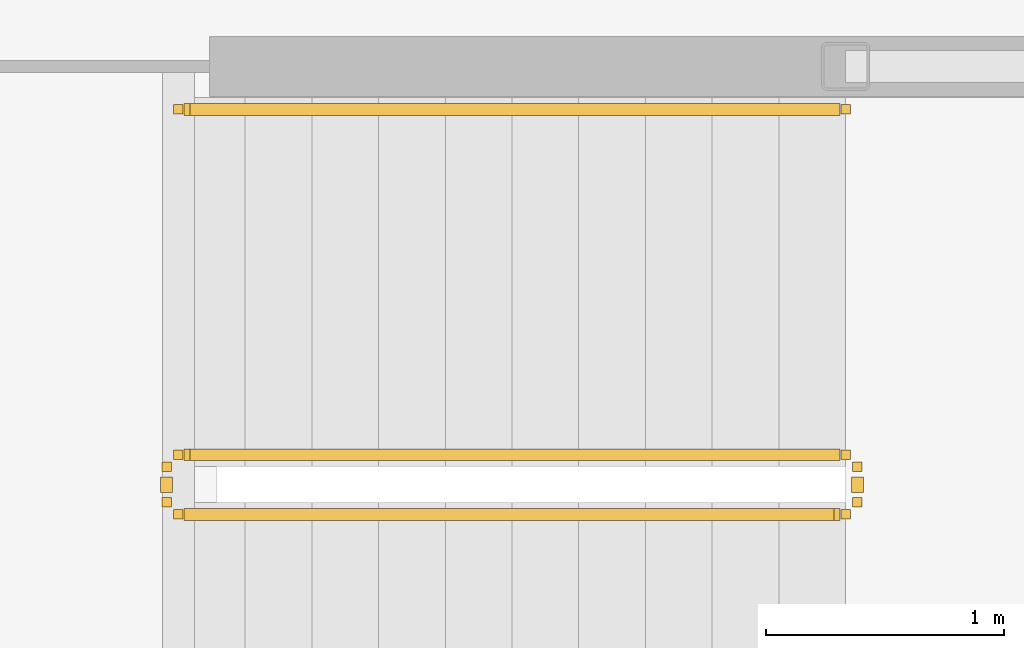
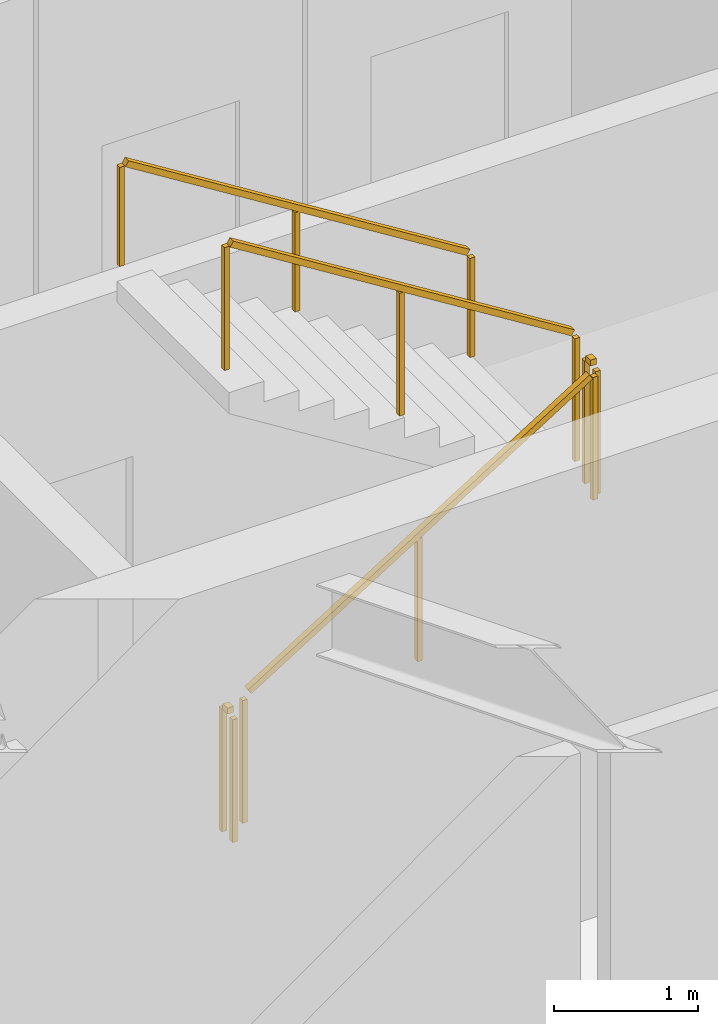
# One storey, part 28 of 31: 5 railings.
"""IFC4 building model written with IfcOpenShell, lengths in metres."""

from ifc_helpers import new_model, si_unit, direction, frame, origin, origin_2d, place, context, subcontext, project, spatial, rectangle, extrude, material, type_object, element, save


model = new_model("IFC4")

# Units and contexts
model_context = context("Model", 3, precision=1e-05, world=origin(), true_north=direction((0.0, 1.0)))
body_context = subcontext(model_context, "Body", "Model", "MODEL_VIEW")
ifc_project = project(units=[si_unit("LENGTHUNIT", "METRE"), si_unit("AREAUNIT", "SQUARE_METRE"), si_unit("VOLUMEUNIT", "CUBIC_METRE"), si_unit("PLANEANGLEUNIT", "RADIAN"), si_unit("MASSUNIT", "GRAM", prefix="KILO")], contexts=[model_context])

# Site, building, storey
site_placement = place(None, origin())
site = spatial("IfcSite", under=ifc_project, at=site_placement, CompositionType="ELEMENT")
building_placement = place(site_placement, origin())
building = spatial("IfcBuilding", under=site, at=building_placement, Name="Kazma Halo Residences", CompositionType="ELEMENT")
storey_placement = place(building_placement, frame((0.0, 0.0, 275.199951171875)))
storey = spatial("IfcBuildingStorey", under=building, at=storey_placement, Name="L69", CompositionType="ELEMENT", Elevation=275.199951171875)

# Railings
ifc_material_1 = material(Name="Painted Steel S355", Category="steel")
railing_type_1 = type_object("IfcRailingType", Name="RLG-STAIR-GRD-1100", PredefinedType="GUARDRAIL", material=ifc_material_1)
railing_1_placement = place(storey_placement, frame((53.199951171875, 35.5, 0.175048828125)))
element("IfcRailing", 1, at=railing_1_placement, inside=storey, type_object=railing_type_1, Name="L69 ST-03 stair guard 1", PredefinedType="GUARDRAIL", context=body_context, shape_type="SweptSolid", body=[
    extrude(rectangle(XDim=0.050048828125, YDim=0.050048828125, at=origin_2d()), frame((0.0361328125, 0.0, 1.09765625), z_axis=(0.848002457836, 0.0, 0.529992293815), x_axis=(0.0, 1.0, 0.0)), (0.0, 0.0, 1.0), 3.216796875),
    extrude(rectangle(XDim=0.0400390625, YDim=0.0400390625, at=origin_2d()), origin(), (0.0, 0.0, 1.0), 1.0380859375),
    extrude(rectangle(XDim=0.0400390625, YDim=0.0400390625, at=origin_2d()), frame((1.39990234375, 0.0, 0.875)), (0.0, 0.0, 1.0), 1.0380859375),
    extrude(rectangle(XDim=0.0400390625, YDim=0.0400390625, at=origin_2d()), frame((2.800048828125, 0.0, 1.75)), (0.0, 0.0, 1.0), 1.0380859375),
])
railing_2_placement = place(storey_placement, frame((56.050048828125, 35.550048828125, 1.925048828125)))
element("IfcRailing", 2, at=railing_2_placement, inside=storey, type_object=railing_type_1, Name="L69 ST-03 stair guard 2", PredefinedType="GUARDRAIL", context=body_context, shape_type="SweptSolid", body=[
    extrude(rectangle(XDim=0.050048828125, YDim=0.050048828125, at=origin_2d()), frame((0.0, 0.04248046875, 1.0751953125), z_axis=(0.0, 1.0, 0.0), x_axis=(-1.0, 0.0, 0.0)), (0.0, 0.0, 1.0), 0.06494140625),
    extrude(rectangle(XDim=0.0400390625, YDim=0.0400390625, at=origin_2d()), origin(), (0.0, 0.0, 1.0), 1.0380859375),
    extrude(rectangle(XDim=0.0400390625, YDim=0.0400390625, at=origin_2d()), frame((0.0, 0.14990234375, 0.0)), (0.0, 0.0, 1.0), 1.0380859375),
])
railing_3_placement = place(storey_placement, frame((56.0, 35.75, 2.10009765625)))
element("IfcRailing", 3, at=railing_3_placement, inside=storey, type_object=railing_type_1, Name="L69 ST-03 stair guard 3", PredefinedType="GUARDRAIL", context=body_context, shape_type="SweptSolid", body=[
    extrude(rectangle(XDim=0.050048828125, YDim=0.050048828125, at=origin_2d()), frame((-0.0361328125, 0.0, 1.09765625), z_axis=(-0.848002457836, 0.0, 0.529992293815), x_axis=(0.0, -1.0, 0.0)), (0.0, 0.0, 1.0), 3.216796875),
    extrude(rectangle(XDim=0.0400390625, YDim=0.0400390625, at=origin_2d()), origin(), (0.0, 0.0, 1.0), 1.0380859375),
    extrude(rectangle(XDim=0.0400390625, YDim=0.0400390625, at=origin_2d()), frame((-1.39990234375, 0.0, 0.875)), (0.0, 0.0, 1.0), 1.0380859375),
    extrude(rectangle(XDim=0.0400390625, YDim=0.0400390625, at=origin_2d()), frame((-2.800048828125, 0.0, 1.75)), (0.0, 0.0, 1.0), 1.0380859375),
])
railing_4_placement = place(storey_placement, frame((53.14990234375, 35.550048828125, 0.0)))
element("IfcRailing", 4, at=railing_4_placement, inside=storey, type_object=railing_type_1, Name="L69 ST-03 stair guard 4", PredefinedType="GUARDRAIL", context=body_context, shape_type="SweptSolid", body=[
    extrude(rectangle(XDim=0.050048828125, YDim=0.050048828125, at=origin_2d()), frame((0.0, 0.04248046875, 1.0751953125), z_axis=(0.0, 1.0, 0.0), x_axis=(-1.0, 0.0, 0.0)), (0.0, 0.0, 1.0), 0.06494140625),
    extrude(rectangle(XDim=0.0400390625, YDim=0.0400390625, at=origin_2d()), origin(), (0.0, 0.0, 1.0), 1.0380859375),
    extrude(rectangle(XDim=0.0400390625, YDim=0.0400390625, at=origin_2d()), frame((0.0, 0.14990234375, 0.0)), (0.0, 0.0, 1.0), 1.0380859375),
])
ifc_material_2 = material(Name="Brushed Stainless Steel", Category="steel")
railing_type_2 = type_object("IfcRailingType", Name="RLG-STAIR-HND-900", PredefinedType="HANDRAIL", material=ifc_material_2)
railing_5_placement = place(storey_placement, frame((56.0, 37.199951171875, 2.10009765625)))
element("IfcRailing", 5, at=railing_5_placement, inside=storey, type_object=railing_type_2, Name="L69 ST-03 stair handrail 2", PredefinedType="HANDRAIL", context=body_context, shape_type="SweptSolid", body=[
    extrude(rectangle(XDim=0.050048828125, YDim=0.050048828125, at=origin_2d()), frame((-0.0361328125, 0.0, 0.8974609375), z_axis=(-0.848002457836, 0.0, 0.529992293815), x_axis=(0.0, -1.0, 0.0)), (0.0, 0.0, 1.0), 3.216796875),
    extrude(rectangle(XDim=0.0400390625, YDim=0.0400390625, at=origin_2d()), origin(), (0.0, 0.0, 1.0), 0.837890625),
    extrude(rectangle(XDim=0.0400390625, YDim=0.0400390625, at=origin_2d()), frame((-1.39990234375, 0.0, 0.875)), (0.0, 0.0, 1.0), 0.837890625),
    extrude(rectangle(XDim=0.0400390625, YDim=0.0400390625, at=origin_2d()), frame((-2.800048828125, 0.0, 1.75)), (0.0, 0.0, 1.0), 0.837890625),
])

save(model, "model.ifc")
